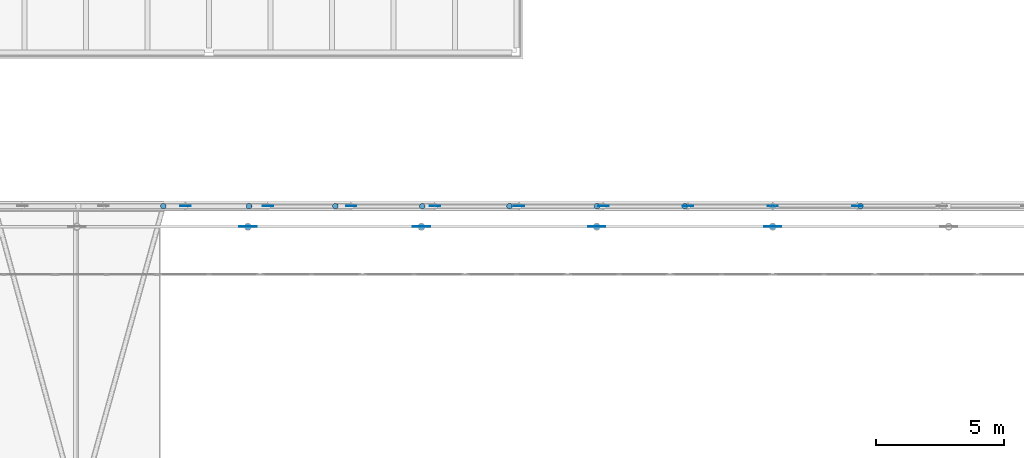
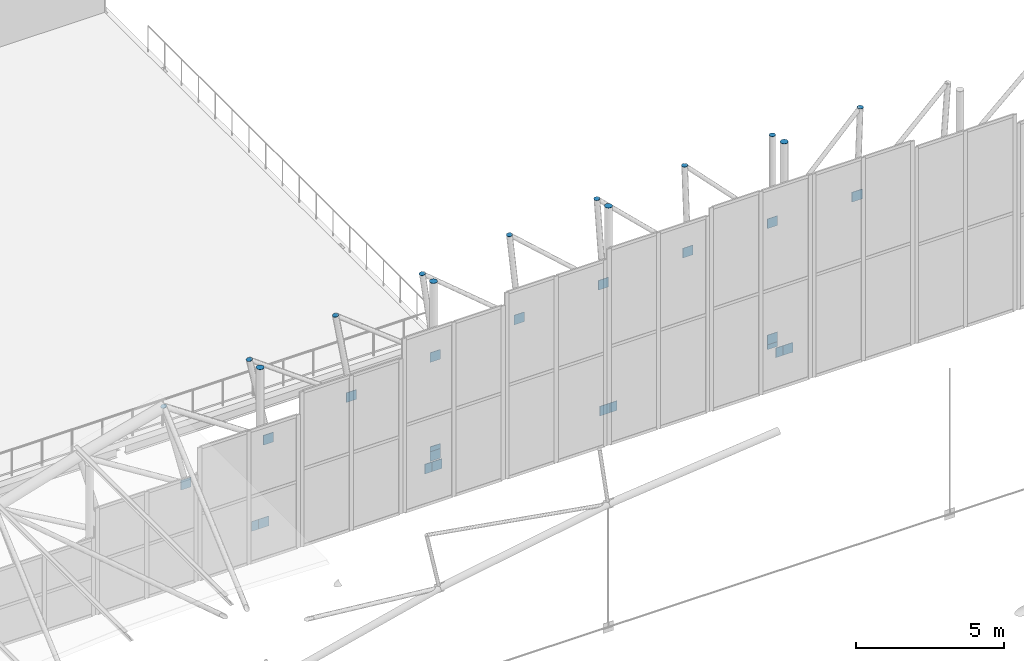
# One storey, part 298 of 321: 34 discrete accessories.
"""IFC4 building model written with IfcOpenShell, lengths in metres."""

from ifc_helpers import new_model, si_unit, direction, frame, origin, origin_2d, place, context, subcontext, project, spatial, rectangle, circle, extrude, material, material_profile, profile_set, type_object, element, save


model = new_model("IFC4")

# Units and contexts
model_context = context("Model", 3, precision=1e-05, world=origin(), true_north=direction((0.0, 1.0)))
body_context = subcontext(model_context, "Body", "Model", "MODEL_VIEW")
ifc_project = project(units=[si_unit("LENGTHUNIT", "METRE"), si_unit("AREAUNIT", "SQUARE_METRE"), si_unit("VOLUMEUNIT", "CUBIC_METRE"), si_unit("PLANEANGLEUNIT", "RADIAN"), si_unit("MASSUNIT", "GRAM", prefix="KILO")], contexts=[model_context])

# Site, building, storey
site_placement = place(None, origin())
site = spatial("IfcSite", under=ifc_project, at=site_placement, CompositionType="ELEMENT")
building_placement = place(site_placement, origin())
building = spatial("IfcBuilding", under=site, at=building_placement, Name="Ravi Spectrum Wholesale Market", CompositionType="ELEMENT")
storey_placement = place(building_placement, frame((0.0, 0.0, 10.800048828125)))
storey = spatial("IfcBuildingStorey", under=building, at=storey_placement, Name="L02", CompositionType="ELEMENT", Elevation=10.800048828125)

# Discrete accessories
ifc_material_1 = material(Name="Steel S355", Category="steel")
ifc_material_profile_1 = material_profile(ifc_material_1, circle(Radius=0.109619140625, at=origin_2d()))
ifc_profile_set_1 = profile_set([ifc_material_profile_1], Name="Steel S355")
discrete_accessory_type_1 = type_object("IfcDiscreteAccessoryType", Name="End plate CHS 219.1x8", PredefinedType="BRACKET", material=ifc_profile_set_1)
for number, where, z_axis, x_axis, name in (
    (1, (46.21923828125, 198.0, 5.514404296875), (-0.223376156329, 0.0, 0.974732318528), (0.0, -1.0, 0.0), "End plate"),
    (2, (49.563720703125, 198.0, 6.27734375), (-0.203954254112, 0.0, 0.978980419738), (0.0, -1.0, 0.0), "End plate"),
    (3, (52.9326171875, 198.0, 6.92431640625), (-0.18428853505, 0.0, 0.982872186934), (0.0, -1.0, 0.0), "End plate"),
    (4, (56.321533203125, 198.0, 7.45458984375), (-0.141421356237, 0.0, 0.989949493661), (0.0, -1.0, 0.0), "End plate"),
    (5, (59.726806640625, 198.0, 7.867919921875), (-0.101513688013, 0.0, 0.994834142531), (0.0, -1.0, 0.0), "End plate"),
    (6, (63.14453125, 198.0, 8.163330078125), (-0.081362009455, 0.0, 0.996684615823), (0.0, -1.0, 0.0), "End plate"),
    (7, (66.5703125, 198.0, 8.3408203125), (-0.040782369514, 0.0, 0.999168053101), (0.0, -1.0, 0.0), "End plate"),
    (8, (70.0, 198.0, 8.39990234375), (0.0, 0.0, 1.0), (1.0, 0.0, 0.0), "End plate"),
    (9, (73.4296875, 198.0, 8.3408203125), (0.040782369514, 0.0, 0.999168053101), (0.0, 1.0, 0.0), "End plate"),
):
    element("IfcDiscreteAccessory", number, at=place(storey_placement, frame(where, z_axis=z_axis, x_axis=x_axis)), inside=storey, type_object=discrete_accessory_type_1, Name=name, PredefinedType="BRACKET", context=body_context, shape_type="SweptSolid", body=[
        extrude(circle(Radius=0.109619140625, at=origin_2d()), origin(), (0.0, 0.0, 1.0), 0.011962890625),
    ])
ifc_material_2 = material(Name="Steel S355", Category="steel")
ifc_material_profile_2 = material_profile(ifc_material_2, circle(Radius=0.136474609375, at=origin_2d()))
ifc_profile_set_2 = profile_set([ifc_material_profile_2], Name="Steel S355")
discrete_accessory_type_2 = type_object("IfcDiscreteAccessoryType", Name="End plate CHS 273x10", PredefinedType="BRACKET", material=ifc_profile_set_2)
for number, where, z_axis, x_axis, name in (
    (10, (49.52197265625, 197.199951171875, 6.447509765625), (0.0, 0.0, 1.0), (1.0, 0.0, 0.0), "End plate"),
    (11, (56.293701171875, 197.199951171875, 7.636962890625), (0.0, 0.0, 1.0), (1.0, 0.0, 0.0), "End plate"),
    (12, (63.13037109375, 197.199951171875, 8.356689453125), (0.0, 0.0, 1.0), (1.0, 0.0, 0.0), "End plate"),
    (13, (70.0, 197.199951171875, 8.603271484375), (0.0, 0.0, 1.0), (1.0, 0.0, 0.0), "End plate"),
):
    element("IfcDiscreteAccessory", number, at=place(storey_placement, frame(where, z_axis=z_axis, x_axis=x_axis)), inside=storey, type_object=discrete_accessory_type_2, Name=name, PredefinedType="BRACKET", context=body_context, shape_type="SweptSolid", body=[
        extrude(circle(Radius=0.136474609375, at=origin_2d()), origin(), (0.0, 0.0, 1.0), 0.011962890625),
    ])
ifc_material_3 = material(Name="Steel S355", Category="steel")
ifc_material_profile_3 = material_profile(ifc_material_3, rectangle(XDim=0.39990234375, YDim=0.02001953125, at=origin_2d()))
ifc_profile_set_3 = profile_set([ifc_material_profile_3], Name="Steel S355")
discrete_accessory_type_3 = type_object("IfcDiscreteAccessoryType", Name="Gusset plate 400x400x20", PredefinedType="BRACKET", material=ifc_profile_set_3)
for number, where, z_axis, x_axis, name in (
    (14, (47.080322265625, 198.0, 1.819091796875), (0.0, 0.0, 1.0), (1.0, 0.0, 0.0), "Gusset plate"),
    (15, (49.385498046875, 197.199951171875, -0.199951171875), (0.0, 0.0, 1.0), (1.0, 0.0, 0.0), "Gusset plate"),
    (16, (49.658447265625, 197.199951171875, -0.199951171875), (0.0, 0.0, 1.0), (1.0, 0.0, 0.0), "Gusset plate"),
    (17, (50.3037109375, 198.0, 2.55419921875), (0.0, 0.0, 1.0), (1.0, 0.0, 0.0), "Gusset plate"),
    (18, (53.55029296875, 198.0, 3.177734375), (0.0, 0.0, 1.0), (1.0, 0.0, 0.0), "Gusset plate"),
    (19, (56.1572265625, 197.199951171875, -0.199951171875), (0.0, 0.0, 1.0), (1.0, 0.0, 0.0), "Gusset plate"),
    (20, (56.43017578125, 197.199951171875, -0.199951171875), (0.0, 0.0, 1.0), (1.0, 0.0, 0.0), "Gusset plate"),
):
    element("IfcDiscreteAccessory", number, at=place(storey_placement, frame(where, z_axis=z_axis, x_axis=x_axis)), inside=storey, type_object=discrete_accessory_type_3, Name=name, PredefinedType="BRACKET", context=body_context, shape_type="SweptSolid", body=[
        extrude(rectangle(XDim=0.39990234375, YDim=0.02001953125, at=origin_2d()), origin(), (0.0, 0.0, 1.0), 0.39990234375),
    ])
discrete_accessory_1_placement = place(storey_placement, frame((56.81689453125, 198.0, -0.400146484375), z_axis=(0.0, 0.0, 1.0), x_axis=(1.0, 0.0, 0.0)))
element("IfcDiscreteAccessory", 21, at=discrete_accessory_1_placement, inside=storey, type_object=discrete_accessory_type_3, Name="Gusset plate", PredefinedType="BRACKET", context=body_context, shape_type="SweptSolid", body=[
    extrude(rectangle(XDim=0.39990234375, YDim=0.02001953125, at=origin_2d()), origin(), (0.0, 0.0, 1.0), 0.400146484375),
])
for number, where, z_axis, x_axis, name in (
    (22, (56.81689453125, 198.0, -0.199951171875), (0.0, 0.0, 1.0), (1.0, 0.0, 0.0), "Gusset plate"),
    (23, (56.81689453125, 198.0, 3.68896484375), (0.0, 0.0, 1.0), (1.0, 0.0, 0.0), "Gusset plate"),
    (24, (60.098876953125, 198.0, 4.087158203125), (0.0, 0.0, 1.0), (1.0, 0.0, 0.0), "Gusset plate"),
    (25, (62.993896484375, 197.199951171875, -0.199951171875), (0.0, 0.0, 1.0), (1.0, 0.0, 0.0), "Gusset plate"),
    (26, (63.266845703125, 197.199951171875, -0.199951171875), (0.0, 0.0, 1.0), (1.0, 0.0, 0.0), "Gusset plate"),
):
    element("IfcDiscreteAccessory", number, at=place(storey_placement, frame(where, z_axis=z_axis, x_axis=x_axis)), inside=storey, type_object=discrete_accessory_type_3, Name=name, PredefinedType="BRACKET", context=body_context, shape_type="SweptSolid", body=[
        extrude(rectangle(XDim=0.39990234375, YDim=0.02001953125, at=origin_2d()), origin(), (0.0, 0.0, 1.0), 0.39990234375),
    ])
discrete_accessory_2_placement = place(storey_placement, frame((63.392578125, 198.0, 4.371826171875), z_axis=(0.0, 0.0, 1.0), x_axis=(1.0, 0.0, 0.0)))
element("IfcDiscreteAccessory", 27, at=discrete_accessory_2_placement, inside=storey, type_object=discrete_accessory_type_3, Name="Gusset plate", PredefinedType="BRACKET", context=body_context, shape_type="SweptSolid", body=[
    extrude(rectangle(XDim=0.39990234375, YDim=0.02001953125, at=origin_2d()), origin(), (0.0, 0.0, 1.0), 0.400146484375),
])
for number, where, z_axis, x_axis, name in (
    (28, (66.6943359375, 198.0, 4.54296875), (0.0, 0.0, 1.0), (1.0, 0.0, 0.0), "Gusset plate"),
    (29, (69.863525390625, 197.199951171875, -0.199951171875), (0.0, 0.0, 1.0), (1.0, 0.0, 0.0), "Gusset plate"),
):
    element("IfcDiscreteAccessory", number, at=place(storey_placement, frame(where, z_axis=z_axis, x_axis=x_axis)), inside=storey, type_object=discrete_accessory_type_3, Name=name, PredefinedType="BRACKET", context=body_context, shape_type="SweptSolid", body=[
        extrude(rectangle(XDim=0.39990234375, YDim=0.02001953125, at=origin_2d()), origin(), (0.0, 0.0, 1.0), 0.39990234375),
    ])
discrete_accessory_3_placement = place(storey_placement, frame((70.0, 198.0, -0.400146484375), z_axis=(0.0, 0.0, 1.0), x_axis=(1.0, 0.0, 0.0)))
element("IfcDiscreteAccessory", 30, at=discrete_accessory_3_placement, inside=storey, type_object=discrete_accessory_type_3, Name="Gusset plate", PredefinedType="BRACKET", context=body_context, shape_type="SweptSolid", body=[
    extrude(rectangle(XDim=0.39990234375, YDim=0.02001953125, at=origin_2d()), origin(), (0.0, 0.0, 1.0), 0.400146484375),
])
discrete_accessory_4_placement = place(storey_placement, frame((70.0, 198.0, -0.199951171875), z_axis=(0.0, 0.0, 1.0), x_axis=(1.0, 0.0, 0.0)))
element("IfcDiscreteAccessory", 31, at=discrete_accessory_4_placement, inside=storey, type_object=discrete_accessory_type_3, Name="Gusset plate", PredefinedType="BRACKET", context=body_context, shape_type="SweptSolid", body=[
    extrude(rectangle(XDim=0.39990234375, YDim=0.02001953125, at=origin_2d()), origin(), (0.0, 0.0, 1.0), 0.39990234375),
])
discrete_accessory_5_placement = place(storey_placement, frame((70.0, 198.0, 4.599853515625), z_axis=(0.0, 0.0, 1.0), x_axis=(1.0, 0.0, 0.0)))
element("IfcDiscreteAccessory", 32, at=discrete_accessory_5_placement, inside=storey, type_object=discrete_accessory_type_3, Name="Gusset plate", PredefinedType="BRACKET", context=body_context, shape_type="SweptSolid", body=[
    extrude(rectangle(XDim=0.39990234375, YDim=0.02001953125, at=origin_2d()), origin(), (0.0, 0.0, 1.0), 0.400146484375),
])
for number, where, z_axis, x_axis, name in (
    (33, (70.136474609375, 197.199951171875, -0.199951171875), (0.0, 0.0, 1.0), (1.0, 0.0, 0.0), "Gusset plate"),
    (34, (73.3056640625, 198.0, 4.54296875), (0.0, 0.0, 1.0), (-1.0, 0.0, 0.0), "Gusset plate"),
):
    element("IfcDiscreteAccessory", number, at=place(storey_placement, frame(where, z_axis=z_axis, x_axis=x_axis)), inside=storey, type_object=discrete_accessory_type_3, Name=name, PredefinedType="BRACKET", context=body_context, shape_type="SweptSolid", body=[
        extrude(rectangle(XDim=0.39990234375, YDim=0.02001953125, at=origin_2d()), origin(), (0.0, 0.0, 1.0), 0.39990234375),
    ])

save(model, "model.ifc")
